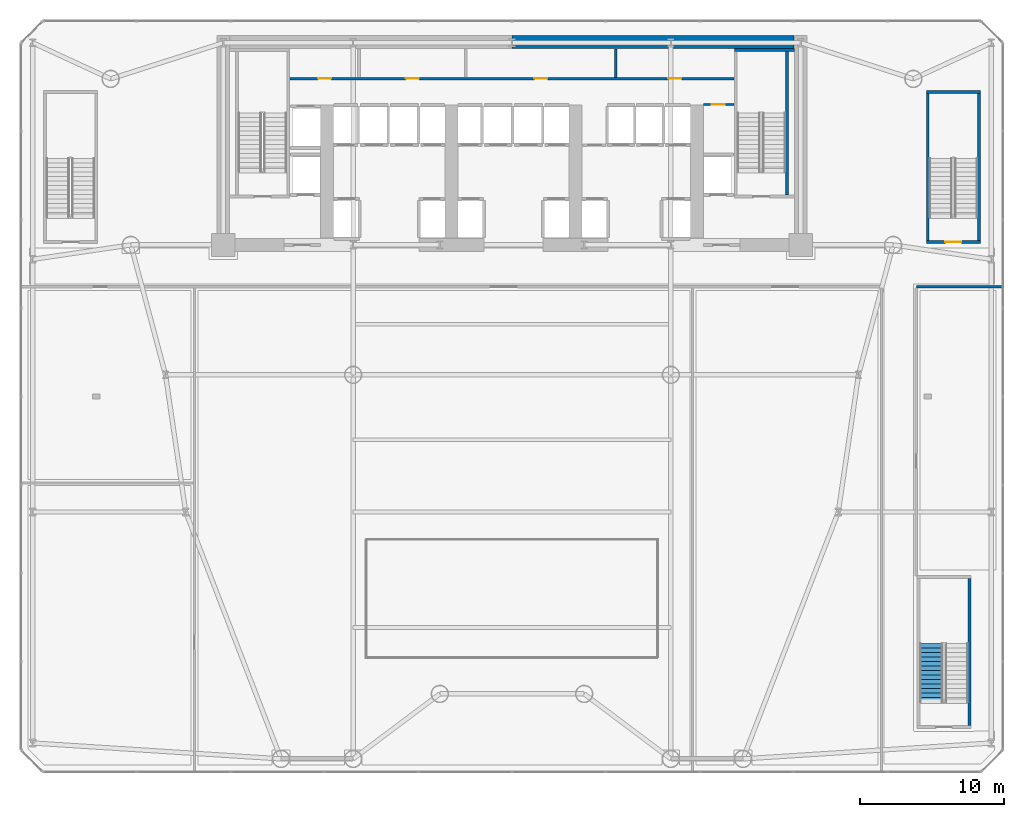
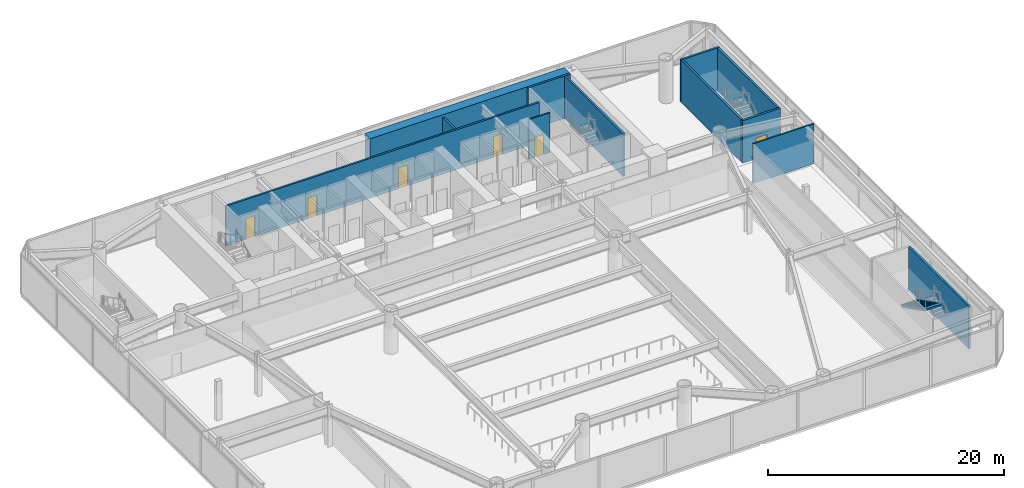
# One storey, part 16 of 24: 12 walls, 6 doors, 1 stair flight, 6 openings, 1 element without a shape of its own.
"""IFC4 building model written with IfcOpenShell, lengths in metres."""

from ifc_helpers import new_model, si_unit, direction, frame, frame_2d, origin, place, context, subcontext, project, spatial, polyline, rectangle, outline, extrude, source, transform, mapped, material, layer, layer_set, type_object, element, fill, aggregate, save


model = new_model("IFC4")

# Units and contexts
model_context = context("Model", 3, precision=1e-05, world=origin(), true_north=direction((0.0, 1.0)))
body_context = subcontext(model_context, "Body", "Model", "MODEL_VIEW")
ifc_project = project(units=[si_unit("LENGTHUNIT", "METRE"), si_unit("AREAUNIT", "SQUARE_METRE"), si_unit("VOLUMEUNIT", "CUBIC_METRE"), si_unit("PLANEANGLEUNIT", "RADIAN"), si_unit("MASSUNIT", "GRAM", prefix="KILO")], contexts=[model_context])

# Site, building, storey
site_placement = place(None, origin())
site = spatial("IfcSite", under=ifc_project, at=site_placement, CompositionType="ELEMENT")
building_placement = place(site_placement, origin())
building = spatial("IfcBuilding", under=site, at=building_placement, Name="Vaeldorn Concourse Tower", CompositionType="ELEMENT")
storey_placement = place(building_placement, frame((0.0, 0.0, 5.60009765625)))
storey = spatial("IfcBuildingStorey", under=building, at=storey_placement, Name="L01", CompositionType="ELEMENT", Elevation=5.60009765625)

# Wall
ifc_material_1 = material(Name="Concrete C60/75", Category="concrete")
ifc_layer_1 = layer(ifc_material_1, 0.89990234375)
ifc_layer_set_1 = layer_set([ifc_layer_1], Name="Concrete C60/75")
wall_type_1 = type_object("IfcWallType", Name="WL-CORE-900", PredefinedType="SHEAR", material=ifc_layer_set_1)
wall_1_placement = place(storey_placement, frame((34.001953125, 50.550048828125, 0.0), z_axis=(0.0, 0.0, 1.0), x_axis=(1.0, 0.0, 0.0)))
element("IfcWall", 1, at=wall_1_placement, inside=storey, type_object=wall_type_1, Name="Rear Core Shear Wall L01 N2", PredefinedType="SHEAR", context=body_context, shape_type="SweptSolid", body=[
    extrude(rectangle(XDim=19.5439453125, YDim=0.89990234375, at=frame_2d((9.77197265625, 0.0))), origin(), (0.0, 0.0, 1.0), 4.39990234375),
])

# Wall, opening, door
ifc_material_2 = material(Name="Gypsum Board Partition", Category="gypsum")
ifc_layer_2 = layer(ifc_material_2, 0.14990234375)
ifc_layer_set_2 = layer_set([ifc_layer_2], Name="Gypsum Board Partition")
wall_type_2 = type_object("IfcWallType", Name="WL-PART-150", PredefinedType="PARTITIONING", material=ifc_layer_set_2)
wall_2_placement = place(storey_placement, frame((47.280029296875, 46.219970703125, 0.0), z_axis=(0.0, 0.0, 1.0), x_axis=(1.0, 0.0, 0.0)))
wall_2 = element("IfcWall", 2, at=wall_2_placement, inside=storey, type_object=wall_type_2, Name="Interior Wall CW-L01-CRSE-N", PredefinedType="PARTITIONING", context=body_context, shape_type="SweptSolid", body=[
    extrude(rectangle(XDim=2.099853515625, YDim=0.14990234375, at=frame_2d((1.0498046875, 0.0))), origin(), (0.0, 0.0, 1.0), 4.119873046875),
])
opening_1_placement = place(wall_2_placement, frame((0.550048828125, 0.0, 0.0)))
opening_1 = element("IfcOpeningElement", 3, at=opening_1_placement, cuts=wall_2, Name="Opening D-02", PredefinedType="OPENING", context=body_context, shape_type="SweptSolid", body=[
    extrude(rectangle(XDim=0.89990234375, YDim=2.10009765625, at=frame_2d((0.449951171875, 1.050048828125))), frame((0.0, 0.0849609375, 0.0), z_axis=(0.0, -1.0, 0.0), x_axis=(1.0, 0.0, 0.0)), (0.0, 0.0, 1.0), 0.169921875),
])
ifc_material_3 = material(Name="Fire-Rated Timber Leaf", Category="wood")
door_type_1 = type_object("IfcDoorType", Name="DR-FD30-900", OperationType="NOTDEFINED", PredefinedType="DOOR", material=ifc_material_3)
shared_shape_1 = source(origin(), body_context, "Body", "SweptSolid", [
    extrude(rectangle(XDim=0.89990234375, YDim=2.10009765625, at=frame_2d((0.449951171875, 1.050048828125))), frame((0.0, 0.02490234375, 0.0), z_axis=(0.0, -1.0, 0.0), x_axis=(1.0, 0.0, 0.0)), (0.0, 0.0, 1.0), 0.050048828125),
])
door_1_placement = place(opening_1_placement, origin())
door_1 = element("IfcDoor", 4, at=door_1_placement, inside=storey, type_object=door_type_1, Name="Interior Door DR-L01-CRSE", OperationType="SINGLE_SWING_RIGHT", OverallHeight=2.10009765625, OverallWidth=0.89990234375, PredefinedType="DOOR", context=body_context, shape_type="MappedRepresentation", body=[
    mapped(shared_shape_1, transform((0.0, 0.0, 0.0), scale=1.0)),
])
fill(opening_1, door_1)

# Wall
wall_3_placement = place(storey_placement, frame((62.0, 33.60009765625, 0.0), z_axis=(0.0, 0.0, 1.0), x_axis=(1.0, 0.0, 0.0)))
element("IfcWall", 5, at=wall_3_placement, inside=storey, type_object=wall_type_2, Name="Interior Wall PW-L01-CORE", PredefinedType="PARTITIONING", context=body_context, shape_type="SweptSolid", body=[
    extrude(rectangle(XDim=5.9599609375, YDim=0.14990234375, at=frame_2d((2.97998046875, 0.0))), origin(), (0.0, 0.0, 1.0), 4.119873046875),
])

# Wall, openings, doors
ifc_layer_3 = layer(ifc_material_2, 0.179931640625)
ifc_layer_set_3 = layer_set([ifc_layer_3], Name="Gypsum Board Partition")
wall_type_3 = type_object("IfcWallType", Name="WL-PLUMB-180", PredefinedType="PLUMBINGWALL", material=ifc_layer_set_3)
wall_4_placement = place(storey_placement, frame((18.6201171875, 48.02001953125, 0.0), z_axis=(0.0, 0.0, 1.0), x_axis=(1.0, 0.0, 0.0)))
wall_4 = element("IfcWall", 6, at=wall_4_placement, inside=storey, type_object=wall_type_3, Name="Interior Wall CW-L01-NS0", PredefinedType="PLUMBINGWALL", context=body_context, shape_type="SweptSolid", body=[
    extrude(rectangle(XDim=30.759765625, YDim=0.179931640625, at=frame_2d((15.3798828125, 0.0))), origin(), (0.0, 0.0, 1.0), 4.119873046875),
])
opening_2_placement = place(wall_4_placement, frame((1.955078125, 0.0, 0.0)))
opening_2 = element("IfcOpeningElement", 7, at=opening_2_placement, cuts=wall_4, Name="Opening D-03", PredefinedType="OPENING", context=body_context, shape_type="SweptSolid", body=[
    extrude(rectangle(XDim=0.89990234375, YDim=2.14990234375, at=frame_2d((0.449951171875, 1.074951171875))), frame((0.0, 0.10009765625, 0.0), z_axis=(0.0, -1.0, 0.0), x_axis=(1.0, 0.0, 0.0)), (0.0, 0.0, 1.0), 0.199951171875),
])
opening_3_placement = place(wall_4_placement, frame((8.030029296875, 0.0, 0.0)))
opening_3 = element("IfcOpeningElement", 8, at=opening_3_placement, cuts=wall_4, Name="Opening D-03", PredefinedType="OPENING", context=body_context, shape_type="SweptSolid", body=[
    extrude(rectangle(XDim=0.89990234375, YDim=2.14990234375, at=frame_2d((0.449951171875, 1.074951171875))), frame((0.0, 0.10009765625, 0.0), z_axis=(0.0, -1.0, 0.0), x_axis=(1.0, 0.0, 0.0)), (0.0, 0.0, 1.0), 0.199951171875),
])
opening_4_placement = place(wall_4_placement, frame((16.929931640625, 0.0, 0.0)))
opening_4 = element("IfcOpeningElement", 9, at=opening_4_placement, cuts=wall_4, Name="Opening D-03", PredefinedType="OPENING", context=body_context, shape_type="SweptSolid", body=[
    extrude(rectangle(XDim=0.89990234375, YDim=2.14990234375, at=frame_2d((0.449951171875, 1.074951171875))), frame((0.0, 0.10009765625, 0.0), z_axis=(0.0, -1.0, 0.0), x_axis=(1.0, 0.0, 0.0)), (0.0, 0.0, 1.0), 0.199951171875),
])
opening_5_placement = place(wall_4_placement, frame((26.205078125, 0.0, 0.0)))
opening_5 = element("IfcOpeningElement", 10, at=opening_5_placement, cuts=wall_4, Name="Opening D-03", PredefinedType="OPENING", context=body_context, shape_type="SweptSolid", body=[
    extrude(rectangle(XDim=0.89990234375, YDim=2.14990234375, at=frame_2d((0.449951171875, 1.074951171875))), frame((0.0, 0.10009765625, 0.0), z_axis=(0.0, -1.0, 0.0), x_axis=(1.0, 0.0, 0.0)), (0.0, 0.0, 1.0), 0.199951171875),
])
ifc_material_4 = material(Name="Acoustic Bronze-Framed Glass Door", Category="glass")
door_type_2 = type_object("IfcDoorType", Name="DR-INT-900", OperationType="NOTDEFINED", PredefinedType="DOOR", material=ifc_material_4)
shared_shape_2 = source(origin(), body_context, "Body", "SweptSolid", [
    extrude(rectangle(XDim=0.89990234375, YDim=2.14990234375, at=frame_2d((0.449951171875, 1.074951171875))), frame((0.0, 0.02490234375, 0.0), z_axis=(0.0, -1.0, 0.0), x_axis=(1.0, 0.0, 0.0)), (0.0, 0.0, 1.0), 0.050048828125),
])
door_2_placement = place(opening_2_placement, origin())
door_2 = element("IfcDoor", 11, at=door_2_placement, inside=storey, type_object=door_type_2, Name="Interior Door DR-L01-CS1", OperationType="SINGLE_SWING_LEFT", OverallHeight=2.14990234375, OverallWidth=0.89990234375, PredefinedType="DOOR", context=body_context, shape_type="MappedRepresentation", body=[
    mapped(shared_shape_2, transform((0.0, 0.0, 0.0), scale=1.0)),
])
fill(opening_2, door_2)
door_3_placement = place(opening_3_placement, origin())
door_3 = element("IfcDoor", 12, at=door_3_placement, inside=storey, type_object=door_type_2, Name="Interior Door DR-L01-CS2", OperationType="SINGLE_SWING_RIGHT", OverallHeight=2.14990234375, OverallWidth=0.89990234375, PredefinedType="DOOR", context=body_context, shape_type="MappedRepresentation", body=[
    mapped(shared_shape_2, transform((0.0, 0.0, 0.0), scale=1.0)),
])
fill(opening_3, door_3)
door_4_placement = place(opening_4_placement, origin())
door_4 = element("IfcDoor", 13, at=door_4_placement, inside=storey, type_object=door_type_2, Name="Interior Door DR-L01-CS3", OperationType="SINGLE_SWING_LEFT", OverallHeight=2.14990234375, OverallWidth=0.89990234375, PredefinedType="DOOR", context=body_context, shape_type="MappedRepresentation", body=[
    mapped(shared_shape_2, transform((0.0, 0.0, 0.0), scale=1.0)),
])
fill(opening_4, door_4)
door_5_placement = place(opening_5_placement, origin())
door_5 = element("IfcDoor", 14, at=door_5_placement, inside=storey, type_object=door_type_2, Name="Interior Door DR-L01-CS4", OperationType="SINGLE_SWING_RIGHT", OverallHeight=2.14990234375, OverallWidth=0.89990234375, PredefinedType="DOOR", context=body_context, shape_type="MappedRepresentation", body=[
    mapped(shared_shape_2, transform((0.0, 0.0, 0.0), scale=1.0)),
])
fill(opening_5, door_5)

# Walls
wall_5_placement = place(storey_placement, frame((41.199951171875, 48.10009765625, 0.0), z_axis=(0.0, 0.0, 1.0), x_axis=(0.0, 1.0, 0.0)))
element("IfcWall", 15, at=wall_5_placement, inside=storey, type_object=wall_type_3, Name="Interior Wall CW-L01-NDIV3", PredefinedType="PLUMBINGWALL", context=body_context, shape_type="SweptSolid", body=[
    extrude(rectangle(XDim=1.97998046875, YDim=0.179931640625, at=frame_2d((0.989990234375, 0.0))), origin(), (0.0, 0.0, 1.0), 4.119873046875),
])
ifc_material_5 = material(Name="Concrete C50/60", Category="concrete")
ifc_layer_4 = layer(ifc_material_5, 0.199951171875)
ifc_layer_set_4 = layer_set([ifc_layer_4], Name="Concrete C50/60")
wall_type_4 = type_object("IfcWallType", Name="WL-SHAFT-200", PredefinedType="SOLIDWALL", material=ifc_layer_set_4)
wall_6_placement = place(storey_placement, frame((49.39990234375, 50.0, 0.0), z_axis=(0.0, 0.0, 1.0), x_axis=(1.0, 0.0, 0.0)))
element("IfcWall", 16, at=wall_6_placement, inside=storey, type_object=wall_type_4, Name="Stair Shaft Wall CW-L01-ST-2-N", PredefinedType="SOLIDWALL", context=body_context, shape_type="SweptSolid", body=[
    extrude(rectangle(XDim=4.150146484375, YDim=0.199951171875, at=frame_2d((2.0751953125, 0.0))), origin(), (0.0, 0.0, 1.0), 4.39990234375),
])
wall_7_placement = place(storey_placement, frame((53.050048828125, 39.9599609375, 0.0), z_axis=(0.0, 0.0, 1.0), x_axis=(0.0, 1.0, 0.0)))
element("IfcWall", 17, at=wall_7_placement, inside=storey, type_object=wall_type_4, Name="Stair Shaft Wall CW-L01-ST-2-E", PredefinedType="SOLIDWALL", context=body_context, shape_type="SweptSolid", body=[
    extrude(rectangle(XDim=9.929931640625, YDim=0.199951171875, at=frame_2d((4.96484375, 0.0))), origin(), (0.0, 0.0, 1.0), 4.39990234375),
])

# Wall, opening, door
wall_8_placement = place(storey_placement, frame((62.699951171875, 36.699951171875, 0.0), z_axis=(0.0, 0.0, 1.0), x_axis=(1.0, 0.0, 0.0)))
wall_8 = element("IfcWall", 18, at=wall_8_placement, inside=storey, type_object=wall_type_4, Name="Stair Shaft Wall CW-L01-ST-4-S", PredefinedType="SOLIDWALL", context=body_context, shape_type="SweptSolid", body=[
    extrude(rectangle(XDim=3.75, YDim=0.199951171875, at=frame_2d((1.875, 0.0))), origin(), (0.0, 0.0, 1.0), 4.39990234375),
])
opening_6_placement = place(wall_8_placement, frame((1.324951171875, 0.0, 0.0)))
opening_6 = element("IfcOpeningElement", 19, at=opening_6_placement, cuts=wall_8, Name="Opening D-01", PredefinedType="OPENING", context=body_context, shape_type="SweptSolid", body=[
    extrude(rectangle(XDim=1.10009765625, YDim=2.14990234375, at=frame_2d((0.550048828125, 1.074951171875))), frame((0.0, 0.10986328125, 0.0), z_axis=(0.0, -1.0, 0.0), x_axis=(1.0, 0.0, 0.0)), (0.0, 0.0, 1.0), 0.219970703125),
])
ifc_material_6 = material(Name="Fire-Rated Timber and Steel Leaf", Category="steel")
door_type_3 = type_object("IfcDoorType", Name="DR-FD60-1100", OperationType="NOTDEFINED", PredefinedType="DOOR", material=ifc_material_6)
shared_shape_3 = source(origin(), body_context, "Body", "SweptSolid", [
    extrude(rectangle(XDim=1.10009765625, YDim=2.14990234375, at=frame_2d((0.550048828125, 1.074951171875))), frame((0.0, 0.02490234375, 0.0), z_axis=(0.0, -1.0, 0.0), x_axis=(1.0, 0.0, 0.0)), (0.0, 0.0, 1.0), 0.050048828125),
])
door_6_placement = place(opening_6_placement, origin())
door_6 = element("IfcDoor", 20, at=door_6_placement, inside=storey, type_object=door_type_3, Name="Interior Door DR-L01-ST-4", OperationType="SINGLE_SWING_RIGHT", OverallHeight=2.14990234375, OverallWidth=1.10009765625, PredefinedType="DOOR", context=body_context, shape_type="MappedRepresentation", body=[
    mapped(shared_shape_3, transform((0.0, 0.0, 0.0), scale=1.0)),
])
fill(opening_6, door_6)

# Walls
wall_9_placement = place(storey_placement, frame((62.699951171875, 47.10009765625, 0.0), z_axis=(0.0, 0.0, 1.0), x_axis=(1.0, 0.0, 0.0)))
element("IfcWall", 21, at=wall_9_placement, inside=storey, type_object=wall_type_4, Name="Stair Shaft Wall CW-L01-ST-4-N", PredefinedType="SOLIDWALL", context=body_context, shape_type="SweptSolid", body=[
    extrude(rectangle(XDim=3.75, YDim=0.199951171875, at=frame_2d((1.875, 0.0))), origin(), (0.0, 0.0, 1.0), 4.39990234375),
])
for number, where, z_axis, x_axis, name in (
    (22, (62.800048828125, 36.81005859375, 0.0), (0.0, 0.0, 1.0), (0.0, 1.0, 0.0), "Stair Shaft Wall CW-L01-ST-4-W"),
    (23, (66.35009765625, 36.81005859375, 0.0), (0.0, 0.0, 1.0), (0.0, 1.0, 0.0), "Stair Shaft Wall CW-L01-ST-4-E"),
    (24, (65.699951171875, 3.2099609375, 0.0), (0.0, 0.0, 1.0), (0.0, 1.0, 0.0), "Stair Shaft Wall CW-L01-ST-5-E"),
):
    element("IfcWall", number, at=place(storey_placement, frame(where, z_axis=z_axis, x_axis=x_axis)), inside=storey, type_object=wall_type_4, Name=name, PredefinedType="SOLIDWALL", context=body_context, shape_type="SweptSolid", body=[
        extrude(rectangle(XDim=10.179931640625, YDim=0.199951171875, at=frame_2d((5.08984375, 0.0))), origin(), (0.0, 0.0, 1.0), 4.39990234375),
    ])

# Stair, stair flight
ifc_material_7 = material(Name="Precast concrete C40/50", Category="concrete")
stair_type = type_object("IfcStairType", Name="STR-DOG-28x157", PredefinedType="HALF_TURN_STAIR", material=ifc_material_7)
stair_placement = place(storey_placement, origin())
stair = element("IfcStair", 25, at=stair_placement, inside=storey, type_object=stair_type, Name="L01 Podium Auditorium Exit Stair ST-5", PredefinedType="HALF_TURN_STAIR")
stair_flight_type = type_object("IfcStairFlightType", Name="STF-STR-14x157", PredefinedType="STRAIGHT", material=ifc_material_7)
stair_flight_placement = place(storey_placement, frame((63.050048828125, 8.8798828125, 2.199951171875), z_axis=(0.0, 0.0, 1.0), x_axis=(0.0, -1.0, 0.0)))
stair_flight = element("IfcStairFlight", 26, at=stair_flight_placement, type_object=stair_flight_type, Name="ST-5 flight 2", NumberOfRisers=14, NumberOfTreads=13, PredefinedType="STRAIGHT", RiserHeight=0.157142857, TreadLength=0.31, context=body_context, shape_type="SweptSolid", body=[
    extrude(outline(polyline([(0.0, 0.0), (0.0, 0.1572265625), (0.31005859375, 0.1572265625), (0.31005859375, 0.314208984375), (0.6201171875, 0.314208984375), (0.6201171875, 0.471435546875), (0.929931640625, 0.471435546875), (0.929931640625, 0.628662109375), (1.239990234375, 0.628662109375), (1.239990234375, 0.78564453125), (1.550048828125, 0.78564453125), (1.550048828125, 0.94287109375), (1.860107421875, 0.94287109375), (1.860107421875, 1.10009765625), (2.169921875, 1.10009765625), (2.169921875, 1.257080078125), (2.47998046875, 1.257080078125), (2.47998046875, 1.414306640625), (2.7900390625, 1.414306640625), (2.7900390625, 1.571533203125), (3.10009765625, 1.571533203125), (3.10009765625, 1.728515625), (3.409912109375, 1.728515625), (3.409912109375, 1.8857421875), (3.719970703125, 1.8857421875), (3.719970703125, 2.04296875), (4.030029296875, 2.04296875), (4.030029296875, 2.199951171875), (4.030029296875, 1.874755859375), (0.33154296875, 0.0), (0.0, 0.0)])), frame((0.0, 0.800048828125, 0.0), z_axis=(0.0, -1.0, 0.0), x_axis=(1.0, 0.0, 0.0)), (0.0, 0.0, 1.0), 1.60009765625),
])
aggregate(stair, [stair_flight])

save(model, "model.ifc")
